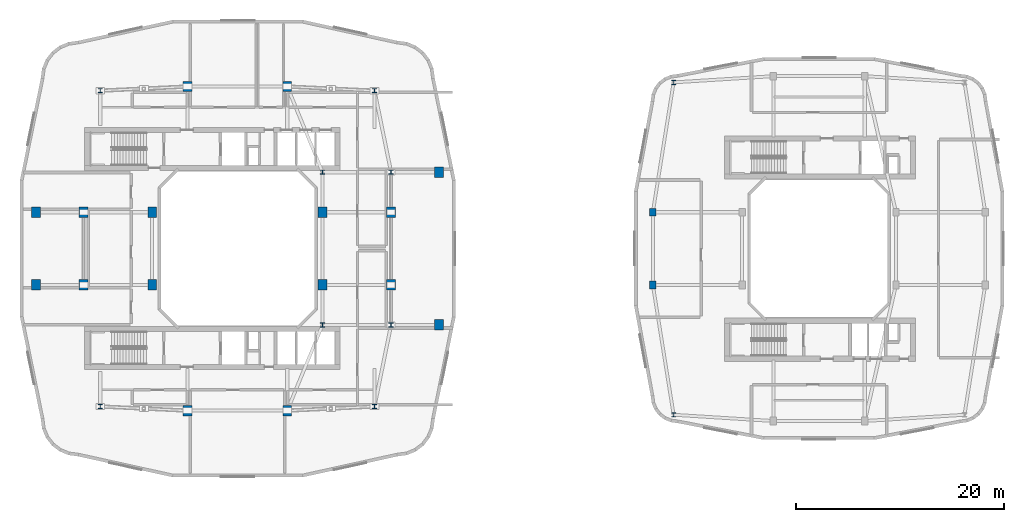
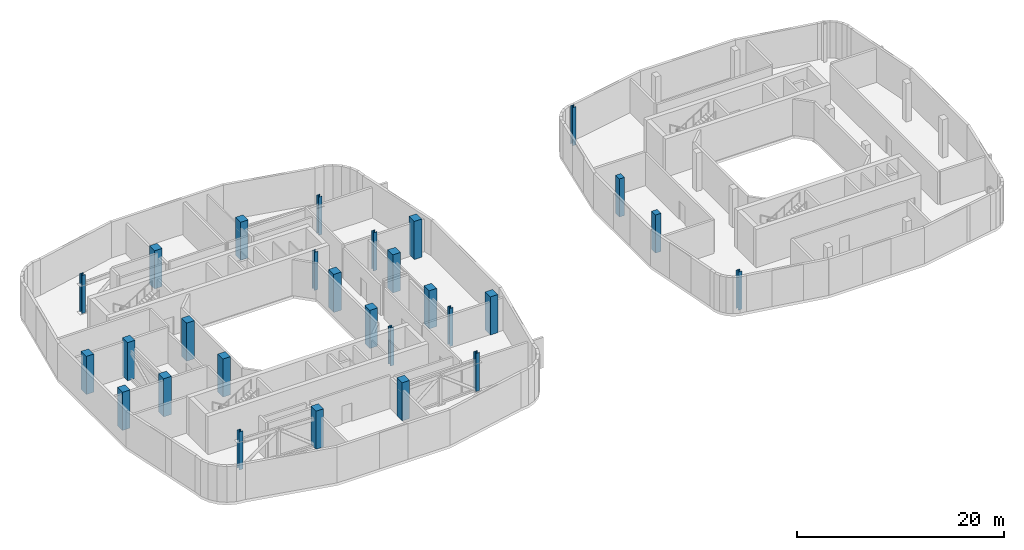
# One storey, part 1 of 18: 28 columns.
"""IFC4 building model written with IfcOpenShell, lengths in metres."""

from ifc_helpers import new_model, si_unit, derived_unit, direction, frame, origin, origin_2d, place, context, subcontext, project, spatial, rectangle, i_section, extrude, material, material_profile, profile_set, type_object, element, save


model = new_model("IFC4")

# Units and contexts
model_context = context("Model", 3, precision=1e-05, world=origin(), true_north=direction((0.0, 1.0)))
body_context = subcontext(model_context, "Body", "Model", "MODEL_VIEW")
ifc_project = project(units=[si_unit("LENGTHUNIT", "METRE"), si_unit("AREAUNIT", "SQUARE_METRE"), si_unit("VOLUMEUNIT", "CUBIC_METRE"), si_unit("PLANEANGLEUNIT", "RADIAN"), si_unit("MASSUNIT", "GRAM", prefix="KILO"), derived_unit("THERMALTRANSMITTANCEUNIT", [(si_unit("POWERUNIT", "WATT"), 1), (si_unit("LENGTHUNIT", "METRE"), -2), (si_unit("THERMODYNAMICTEMPERATUREUNIT", "KELVIN"), -1)])], contexts=[model_context])

# Site, building, storey
site_placement = place(None, origin())
site = spatial("IfcSite", under=ifc_project, at=site_placement, CompositionType="ELEMENT")
building_placement = place(site_placement, origin())
building = spatial("IfcBuilding", under=site, at=building_placement, Name="Kivonza Crest Hotel", CompositionType="ELEMENT")
storey_placement = place(building_placement, frame((0.0, 0.0, 90.5)))
storey = spatial("IfcBuildingStorey", under=building, at=storey_placement, Name="L24", CompositionType="ELEMENT", Elevation=90.5)

# Columns
ifc_material_1 = material(Name="Concrete C50/60", Category="concrete")
ifc_material_profile_1 = material_profile(ifc_material_1, rectangle(XDim=0.85009765625, YDim=1.0, at=origin_2d()), Name="RC 1000x850")
ifc_profile_set_1 = profile_set([ifc_material_profile_1], Name="Concrete C50/60")
column_type_1 = type_object("IfcColumnType", Name="CL-RC-1000x850", PredefinedType="COLUMN", material=ifc_profile_set_1)
for number, where, z_axis, x_axis, name in (
    (1, (16.199951171875, 9.39990234375, 0.0), (0.0, 0.0, 1.0), (1.0, 0.0, 0.0), "Tower T1 L24 column S1"),
    (2, (25.800048828125, 9.39990234375, 0.0), (0.0, 0.0, 1.0), (1.0, 0.0, 0.0), "Tower T1 L24 column S2"),
    (3, (16.199951171875, 40.60009765625, 0.0), (0.0, 0.0, 1.0), (1.0, 0.0, 0.0), "Tower T1 L24 column N1"),
    (4, (25.800048828125, 40.60009765625, 0.0), (0.0, 0.0, 1.0), (1.0, 0.0, 0.0), "Tower T1 L24 column N2"),
    (5, (6.199951171875, 21.5, 0.0), (0.0, 0.0, 1.0), (1.0, 0.0, 0.0), "Tower T1 L24 column W1"),
    (6, (6.199951171875, 28.5, 0.0), (0.0, 0.0, 1.0), (1.0, 0.0, 0.0), "Tower T1 L24 column W2"),
    (7, (35.800048828125, 21.5, 0.0), (0.0, 0.0, 1.0), (1.0, 0.0, 0.0), "Tower T1 L24 column E1"),
    (8, (35.800048828125, 28.5, 0.0), (0.0, 0.0, 1.0), (1.0, 0.0, 0.0), "Tower T1 L24 column E2"),
    (9, (12.800048828125, 21.5, 0.0), (0.0, 0.0, 1.0), (1.0, 0.0, 0.0), "Tower T1 L24 column WL1"),
    (10, (12.800048828125, 28.5, 0.0), (0.0, 0.0, 1.0), (1.0, 0.0, 0.0), "Tower T1 L24 column WL2"),
    (11, (29.199951171875, 21.5, 0.0), (0.0, 0.0, 1.0), (1.0, 0.0, 0.0), "Tower T1 L24 column WR1"),
    (12, (29.199951171875, 28.5, 0.0), (0.0, 0.0, 1.0), (1.0, 0.0, 0.0), "Tower T1 L24 column WR2"),
    (13, (1.60009765625, 21.5, 0.0), (0.0, 0.0, 1.0), (1.0, 0.0, 0.0), "Tower T1 L24 column Z1W1"),
    (14, (1.60009765625, 28.5, 0.0), (0.0, 0.0, 1.0), (1.0, 0.0, 0.0), "Tower T1 L24 column Z1W2"),
    (15, (40.39990234375, 17.64990234375, 0.0), (0.0, 0.0, 1.0), (1.0, 0.0, 0.0), "Tower T1 L24 column Z1E1"),
    (16, (40.39990234375, 32.35009765625, 0.0), (0.0, 0.0, 1.0), (1.0, 0.0, 0.0), "Tower T1 L24 column Z1E2"),
):
    element("IfcColumn", number, at=place(storey_placement, frame(where, z_axis=z_axis, x_axis=x_axis)), inside=storey, type_object=column_type_1, Name=name, PredefinedType="COLUMN", context=body_context, shape_type="SweptSolid", body=[
        extrude(rectangle(XDim=0.85009765625, YDim=1.0, at=origin_2d()), origin(), (0.0, 0.0, 1.0), 4.5),
    ])
ifc_material_profile_2 = material_profile(ifc_material_1, rectangle(XDim=0.60009765625, YDim=0.75, at=origin_2d()), Name="RC 750x600")
ifc_profile_set_2 = profile_set([ifc_material_profile_2], Name="Concrete C50/60")
column_type_2 = type_object("IfcColumnType", Name="CL-RC-750x600", PredefinedType="COLUMN", material=ifc_profile_set_2)
for number, where, z_axis, x_axis, name in (
    (17, (61.0, 21.5, 0.0), (0.0, 0.0, 1.0), (1.0, 0.0, 0.0), "Companion Tower T2 L24 column W1"),
    (18, (61.0, 28.5, 0.0), (0.0, 0.0, 1.0), (1.0, 0.0, 0.0), "Companion Tower T2 L24 column W2"),
):
    element("IfcColumn", number, at=place(storey_placement, frame(where, z_axis=z_axis, x_axis=x_axis)), inside=storey, type_object=column_type_2, Name=name, PredefinedType="COLUMN", context=body_context, shape_type="SweptSolid", body=[
        extrude(rectangle(XDim=0.60009765625, YDim=0.75, at=origin_2d()), origin(), (0.0, 0.0, 1.0), 4.5),
    ])
ifc_material_2 = material(Name="Steel S355", Category="steel")
ifc_material_profile_3 = material_profile(ifc_material_2, i_section(OverallWidth=0.406005859375, OverallDepth=0.416015625, WebThickness=0.02392578125, FlangeThickness=0.0390625, FilletRadius=0.014892578125, at=origin_2d()), Name="HD 400x382")
ifc_profile_set_3 = profile_set([ifc_material_profile_3], Name="Steel S355")
column_type_3 = type_object("IfcColumnType", Name="CL-ST-HD400", PredefinedType="COLUMN", material=ifc_profile_set_3)
for number, where, z_axis, x_axis, name in (
    (19, (7.800048828125, 9.800048828125, 0.0), (0.0, 0.0, 1.0), (1.0, 0.0, 0.0), "Tower T1 L24 column SW"),
    (20, (34.199951171875, 9.800048828125, 0.0), (0.0, 0.0, 1.0), (1.0, 0.0, 0.0), "Tower T1 L24 column SE"),
    (21, (34.199951171875, 40.199951171875, 0.0), (0.0, 0.0, 1.0), (1.0, 0.0, 0.0), "Tower T1 L24 column NE"),
    (22, (7.800048828125, 40.199951171875, 0.0), (0.0, 0.0, 1.0), (1.0, 0.0, 0.0), "Tower T1 L24 column NW"),
    (23, (35.800048828125, 17.64990234375, 0.0), (0.0, 0.0, 1.0), (1.0, 0.0, 0.0), "Tower T1 L24 column PSE"),
    (24, (35.800048828125, 32.35009765625, 0.0), (0.0, 0.0, 1.0), (1.0, 0.0, 0.0), "Tower T1 L24 column PNE"),
    (25, (29.199951171875, 17.64990234375, 0.0), (0.0, 0.0, 1.0), (1.0, 0.0, 0.0), "Tower T1 L24 column TSE"),
    (26, (29.199951171875, 32.35009765625, 0.0), (0.0, 0.0, 1.0), (1.0, 0.0, 0.0), "Tower T1 L24 column TNE"),
    (27, (63.0, 9.0, 0.0), (0.0, 0.0, 1.0), (1.0, 0.0, 0.0), "Companion Tower T2 L24 column SW"),
    (28, (63.0, 41.0, 0.0), (0.0, 0.0, 1.0), (1.0, 0.0, 0.0), "Companion Tower T2 L24 column NW"),
):
    element("IfcColumn", number, at=place(storey_placement, frame(where, z_axis=z_axis, x_axis=x_axis)), inside=storey, type_object=column_type_3, Name=name, PredefinedType="COLUMN", context=body_context, shape_type="SweptSolid", body=[
        extrude(i_section(OverallWidth=0.406005859375, OverallDepth=0.416015625, WebThickness=0.02392578125, FlangeThickness=0.0390625, FilletRadius=0.014892578125, at=origin_2d()), origin(), (0.0, 0.0, 1.0), 4.5),
    ])

save(model, "model.ifc")
